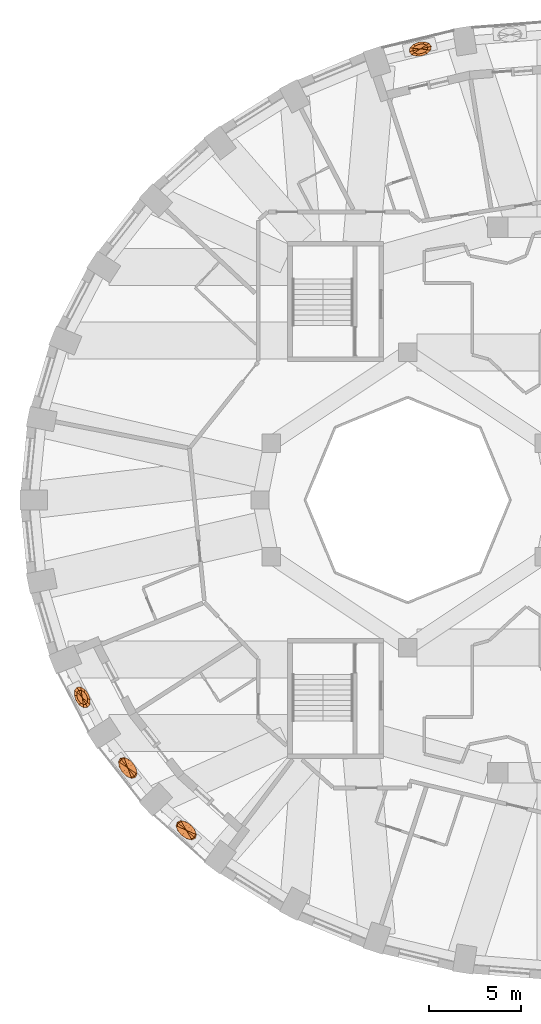
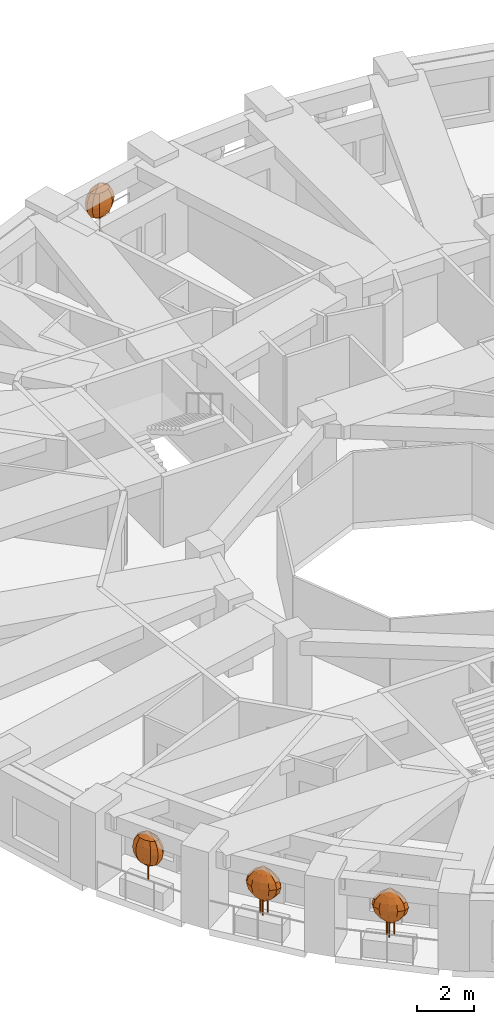
# One storey, part 12 of 13: 4 geographic elements.
"""IFC4 building model written with IfcOpenShell, lengths in metres."""

from ifc_helpers import new_model, si_unit, direction, frame, origin, place, context, subcontext, project, spatial, faceted_brep, material, constituent, constituent_set, type_object, element, save


model = new_model("IFC4")

# Units and contexts
model_context = context("Model", 3, precision=1e-05, world=origin(), true_north=direction((0.0, 1.0)))
body_context = subcontext(model_context, "Body", "Model", "MODEL_VIEW")
ifc_project = project(units=[si_unit("LENGTHUNIT", "METRE"), si_unit("AREAUNIT", "SQUARE_METRE"), si_unit("VOLUMEUNIT", "CUBIC_METRE"), si_unit("PLANEANGLEUNIT", "RADIAN"), si_unit("MASSUNIT", "GRAM", prefix="KILO")], contexts=[model_context])

# Site, building, storey
site_placement = place(None, origin())
site = spatial("IfcSite", under=ifc_project, at=site_placement, CompositionType="ELEMENT")
building_placement = place(site_placement, origin())
building = spatial("IfcBuilding", under=site, at=building_placement, Name="Taillehof Tower", CompositionType="ELEMENT")
storey_placement = place(building_placement, frame((0.0, 0.0, 58.0)))
storey = spatial("IfcBuildingStorey", under=building, at=storey_placement, Name="L15", CompositionType="ELEMENT", Elevation=58.0)

# Geographic elements
ifc_material_1 = material(Name="Tree bark", Category="timber")
ifc_constituent_1 = constituent(ifc_material_1, Name="Trunk", Category="timber")
ifc_material_2 = material(Name="Tree foliage")
ifc_constituent_2 = constituent(ifc_material_2, Name="Crown")
ifc_constituent_set_1 = constituent_set(constituents=[ifc_constituent_1, ifc_constituent_2], Name="Tree TR1 Columnar hornbeam")
geographic_element_type_1 = type_object("IfcGeographicElementType", Name="Tree TR1 Columnar hornbeam", PredefinedType="USERDEFINED", material=ifc_constituent_set_1)
geographic_element_1_placement = place(storey_placement, frame((-7.31640625, 24.430419921875, 0.75)))
element("IfcGeographicElement", 1, at=geographic_element_1_placement, inside=storey, type_object=geographic_element_type_1, Name="Tree TR1 Columnar hornbeam", ObjectType="TREE", PredefinedType="USERDEFINED", context=body_context, shape_type="Brep", body=[
    faceted_brep([(0.030029296875, 0.0, 0.0), (0.021240234375, 0.021240234375, 0.0), (0.021240234375, 0.021240234375, 1.092529296875), (0.030029296875, 0.0, 1.092529296875), (0.0, 0.030029296875, 0.0), (0.0, 0.030029296875, 1.092529296875), (-0.021240234375, 0.021240234375, 0.0), (-0.021240234375, 0.021240234375, 1.092529296875), (-0.030029296875, 0.0, 0.0), (-0.030029296875, 0.0, 1.092529296875), (-0.021240234375, -0.021240234375, 0.0), (-0.021240234375, -0.021240234375, 1.092529296875), (0.0, -0.030029296875, 0.0), (0.0, -0.030029296875, 1.092529296875), (0.021240234375, -0.021240234375, 0.0), (0.021240234375, -0.021240234375, 1.092529296875)], [[[0, 1, 2, 3]], [[1, 4, 5, 2]], [[4, 6, 7, 5]], [[6, 8, 9, 7]], [[8, 10, 11, 9]], [[10, 12, 13, 11]], [[12, 14, 15, 13]], [[14, 0, 3, 15]], [[14, 12, 10, 8, 6, 4, 1, 0]], [[3, 2, 5, 7, 9, 11, 13, 15]]]),
    faceted_brep([(0.0, 0.0, 0.550048828125), (-0.324951171875, -0.211181640625, 0.808349609375), (-0.41015625, -0.09814453125, 0.808349609375), (-0.15283203125, -0.267822265625, 0.808349609375), (0.060546875, -0.25244140625, 0.808349609375), (0.25732421875, -0.16943359375, 0.808349609375), (0.385498046875, -0.041015625, 0.808349609375), (0.41015625, 0.09814453125, 0.808349609375), (0.324951171875, 0.211181640625, 0.808349609375), (0.15283203125, 0.267822265625, 0.808349609375), (-0.060546875, 0.25244140625, 0.808349609375), (-0.25732421875, 0.16943359375, 0.808349609375), (-0.385498046875, 0.041015625, 0.808349609375), (-0.439697265625, -0.285888671875, 1.066650390625), (-0.554931640625, -0.1328125, 1.066650390625), (-0.20654296875, -0.362060546875, 1.066650390625), (0.081787109375, -0.341552734375, 1.066650390625), (0.34814453125, -0.229248046875, 1.066650390625), (0.521484375, -0.0556640625, 1.066650390625), (0.554931640625, 0.1328125, 1.066650390625), (0.439697265625, 0.285888671875, 1.066650390625), (0.20654296875, 0.362060546875, 1.066650390625), (-0.081787109375, 0.341552734375, 1.066650390625), (-0.34814453125, 0.229248046875, 1.066650390625), (-0.521484375, 0.0556640625, 1.066650390625), (-0.475830078125, -0.309326171875, 1.324951171875), (-0.6005859375, -0.143798828125, 1.324951171875), (-0.2236328125, -0.391845703125, 1.324951171875), (0.088623046875, -0.36962890625, 1.324951171875), (0.376953125, -0.248046875, 1.324951171875), (0.564208984375, -0.060302734375, 1.324951171875), (0.6005859375, 0.143798828125, 1.324951171875), (0.475830078125, 0.309326171875, 1.324951171875), (0.2236328125, 0.391845703125, 1.324951171875), (-0.088623046875, 0.36962890625, 1.324951171875), (-0.376953125, 0.248046875, 1.324951171875), (-0.564208984375, 0.060302734375, 1.324951171875), (-0.439697265625, -0.285888671875, 1.583251953125), (-0.554931640625, -0.1328125, 1.583251953125), (-0.20654296875, -0.362060546875, 1.583251953125), (0.081787109375, -0.341552734375, 1.583251953125), (0.34814453125, -0.229248046875, 1.583251953125), (0.521484375, -0.0556640625, 1.583251953125), (0.554931640625, 0.1328125, 1.583251953125), (0.439697265625, 0.285888671875, 1.583251953125), (0.20654296875, 0.362060546875, 1.583251953125), (-0.081787109375, 0.341552734375, 1.583251953125), (-0.34814453125, 0.229248046875, 1.583251953125), (-0.521484375, 0.0556640625, 1.583251953125), (-0.324951171875, -0.211181640625, 1.841552734375), (-0.41015625, -0.09814453125, 1.841552734375), (-0.15283203125, -0.267822265625, 1.841552734375), (0.060546875, -0.25244140625, 1.841552734375), (0.25732421875, -0.16943359375, 1.841552734375), (0.385498046875, -0.041015625, 1.841552734375), (0.41015625, 0.09814453125, 1.841552734375), (0.324951171875, 0.211181640625, 1.841552734375), (0.15283203125, 0.267822265625, 1.841552734375), (-0.060546875, 0.25244140625, 1.841552734375), (-0.25732421875, 0.16943359375, 1.841552734375), (-0.385498046875, 0.041015625, 1.841552734375), (0.0, 0.0, 2.10009765625)], [[[0, 1, 2]], [[0, 3, 1]], [[0, 4, 3]], [[0, 5, 4]], [[0, 6, 5]], [[0, 7, 6]], [[0, 8, 7]], [[0, 9, 8]], [[0, 10, 9]], [[0, 11, 10]], [[0, 12, 11]], [[0, 2, 12]], [[2, 1, 13, 14]], [[1, 3, 15, 13]], [[3, 4, 16, 15]], [[4, 5, 17, 16]], [[5, 6, 18, 17]], [[6, 7, 19, 18]], [[7, 8, 20, 19]], [[8, 9, 21, 20]], [[9, 10, 22, 21]], [[10, 11, 23, 22]], [[11, 12, 24, 23]], [[12, 2, 14, 24]], [[14, 13, 25, 26]], [[13, 15, 27, 25]], [[15, 16, 28, 27]], [[16, 17, 29, 28]], [[17, 18, 30, 29]], [[18, 19, 31, 30]], [[19, 20, 32, 31]], [[20, 21, 33, 32]], [[21, 22, 34, 33]], [[22, 23, 35, 34]], [[23, 24, 36, 35]], [[24, 14, 26, 36]], [[26, 25, 37, 38]], [[25, 27, 39, 37]], [[27, 28, 40, 39]], [[28, 29, 41, 40]], [[29, 30, 42, 41]], [[30, 31, 43, 42]], [[31, 32, 44, 43]], [[32, 33, 45, 44]], [[33, 34, 46, 45]], [[34, 35, 47, 46]], [[35, 36, 48, 47]], [[36, 26, 38, 48]], [[38, 37, 49, 50]], [[37, 39, 51, 49]], [[39, 40, 52, 51]], [[40, 41, 53, 52]], [[41, 42, 54, 53]], [[42, 43, 55, 54]], [[43, 44, 56, 55]], [[44, 45, 57, 56]], [[45, 46, 58, 57]], [[46, 47, 59, 58]], [[47, 48, 60, 59]], [[48, 38, 50, 60]], [[50, 49, 61]], [[49, 51, 61]], [[51, 52, 61]], [[52, 53, 61]], [[53, 54, 61]], [[54, 55, 61]], [[55, 56, 61]], [[56, 57, 61]], [[57, 58, 61]], [[58, 59, 61]], [[59, 60, 61]], [[60, 50, 61]]]),
])
geographic_element_2_placement = place(storey_placement, frame((-25.627685546875, -10.692626953125, 0.75)))
element("IfcGeographicElement", 2, at=geographic_element_2_placement, inside=storey, type_object=geographic_element_type_1, Name="Tree TR1 Columnar hornbeam", ObjectType="TREE", PredefinedType="USERDEFINED", context=body_context, shape_type="Brep", body=[
    faceted_brep([(0.030029296875, 0.0, 0.0), (0.021240234375, 0.021240234375, 0.0), (0.021240234375, 0.021240234375, 1.092529296875), (0.030029296875, 0.0, 1.092529296875), (0.0, 0.030029296875, 0.0), (0.0, 0.030029296875, 1.092529296875), (-0.021240234375, 0.021240234375, 0.0), (-0.021240234375, 0.021240234375, 1.092529296875), (-0.030029296875, 0.0, 0.0), (-0.030029296875, 0.0, 1.092529296875), (-0.021240234375, -0.021240234375, 0.0), (-0.021240234375, -0.021240234375, 1.092529296875), (0.0, -0.030029296875, 0.0), (0.0, -0.030029296875, 1.092529296875), (0.021240234375, -0.021240234375, 0.0), (0.021240234375, -0.021240234375, 1.092529296875)], [[[0, 1, 2, 3]], [[1, 4, 5, 2]], [[4, 6, 7, 5]], [[6, 8, 9, 7]], [[8, 10, 11, 9]], [[10, 12, 13, 11]], [[12, 14, 15, 13]], [[14, 0, 3, 15]], [[14, 12, 10, 8, 6, 4, 1, 0]], [[3, 2, 5, 7, 9, 11, 13, 15]]]),
    faceted_brep([(0.0, 0.0, 0.550048828125), (0.283935546875, -0.263916015625, 0.808349609375), (0.195068359375, -0.3740234375, 0.808349609375), (0.296875, -0.0830078125, 0.808349609375), (0.230224609375, 0.1201171875, 0.808349609375), (0.101806640625, 0.291015625, 0.808349609375), (-0.053955078125, 0.3837890625, 0.808349609375), (-0.195068359375, 0.3740234375, 0.808349609375), (-0.283935546875, 0.263916015625, 0.808349609375), (-0.296875, 0.0830078125, 0.808349609375), (-0.230224609375, -0.1201171875, 0.808349609375), (-0.101806640625, -0.291015625, 0.808349609375), (0.053955078125, -0.3837890625, 0.808349609375), (0.38427734375, -0.35693359375, 1.066650390625), (0.263916015625, -0.505859375, 1.066650390625), (0.401611328125, -0.1123046875, 1.066650390625), (0.311279296875, 0.162353515625, 1.066650390625), (0.1376953125, 0.3935546875, 1.066650390625), (-0.07275390625, 0.519287109375, 1.066650390625), (-0.263916015625, 0.505859375, 1.066650390625), (-0.38427734375, 0.35693359375, 1.066650390625), (-0.401611328125, 0.1123046875, 1.066650390625), (-0.311279296875, -0.162353515625, 1.066650390625), (-0.1376953125, -0.3935546875, 1.066650390625), (0.07275390625, -0.519287109375, 1.066650390625), (0.415771484375, -0.38623046875, 1.324951171875), (0.28564453125, -0.547607421875, 1.324951171875), (0.4345703125, -0.12158203125, 1.324951171875), (0.3369140625, 0.17578125, 1.324951171875), (0.14892578125, 0.426025390625, 1.324951171875), (-0.078857421875, 0.56201171875, 1.324951171875), (-0.28564453125, 0.547607421875, 1.324951171875), (-0.415771484375, 0.38623046875, 1.324951171875), (-0.4345703125, 0.12158203125, 1.324951171875), (-0.3369140625, -0.17578125, 1.324951171875), (-0.14892578125, -0.426025390625, 1.324951171875), (0.078857421875, -0.56201171875, 1.324951171875), (0.38427734375, -0.35693359375, 1.583251953125), (0.263916015625, -0.505859375, 1.583251953125), (0.401611328125, -0.1123046875, 1.583251953125), (0.311279296875, 0.162353515625, 1.583251953125), (0.1376953125, 0.3935546875, 1.583251953125), (-0.07275390625, 0.519287109375, 1.583251953125), (-0.263916015625, 0.505859375, 1.583251953125), (-0.38427734375, 0.35693359375, 1.583251953125), (-0.401611328125, 0.1123046875, 1.583251953125), (-0.311279296875, -0.162353515625, 1.583251953125), (-0.1376953125, -0.3935546875, 1.583251953125), (0.07275390625, -0.519287109375, 1.583251953125), (0.283935546875, -0.263916015625, 1.841552734375), (0.195068359375, -0.3740234375, 1.841552734375), (0.296875, -0.0830078125, 1.841552734375), (0.230224609375, 0.1201171875, 1.841552734375), (0.101806640625, 0.291015625, 1.841552734375), (-0.053955078125, 0.3837890625, 1.841552734375), (-0.195068359375, 0.3740234375, 1.841552734375), (-0.283935546875, 0.263916015625, 1.841552734375), (-0.296875, 0.0830078125, 1.841552734375), (-0.230224609375, -0.1201171875, 1.841552734375), (-0.101806640625, -0.291015625, 1.841552734375), (0.053955078125, -0.3837890625, 1.841552734375), (0.0, 0.0, 2.10009765625)], [[[0, 1, 2]], [[0, 3, 1]], [[0, 4, 3]], [[0, 5, 4]], [[0, 6, 5]], [[0, 7, 6]], [[0, 8, 7]], [[0, 9, 8]], [[0, 10, 9]], [[0, 11, 10]], [[0, 12, 11]], [[0, 2, 12]], [[2, 1, 13, 14]], [[1, 3, 15, 13]], [[3, 4, 16, 15]], [[4, 5, 17, 16]], [[5, 6, 18, 17]], [[6, 7, 19, 18]], [[7, 8, 20, 19]], [[8, 9, 21, 20]], [[9, 10, 22, 21]], [[10, 11, 23, 22]], [[11, 12, 24, 23]], [[12, 2, 14, 24]], [[14, 13, 25, 26]], [[13, 15, 27, 25]], [[15, 16, 28, 27]], [[16, 17, 29, 28]], [[17, 18, 30, 29]], [[18, 19, 31, 30]], [[19, 20, 32, 31]], [[20, 21, 33, 32]], [[21, 22, 34, 33]], [[22, 23, 35, 34]], [[23, 24, 36, 35]], [[24, 14, 26, 36]], [[26, 25, 37, 38]], [[25, 27, 39, 37]], [[27, 28, 40, 39]], [[28, 29, 41, 40]], [[29, 30, 42, 41]], [[30, 31, 43, 42]], [[31, 32, 44, 43]], [[32, 33, 45, 44]], [[33, 34, 46, 45]], [[34, 35, 47, 46]], [[35, 36, 48, 47]], [[36, 26, 38, 48]], [[38, 37, 49, 50]], [[37, 39, 51, 49]], [[39, 40, 52, 51]], [[40, 41, 53, 52]], [[41, 42, 54, 53]], [[42, 43, 55, 54]], [[43, 44, 56, 55]], [[44, 45, 57, 56]], [[45, 46, 58, 57]], [[46, 47, 59, 58]], [[47, 48, 60, 59]], [[48, 38, 50, 60]], [[50, 49, 61]], [[49, 51, 61]], [[51, 52, 61]], [[52, 53, 61]], [[53, 54, 61]], [[54, 55, 61]], [[55, 56, 61]], [[56, 57, 61]], [[57, 58, 61]], [[58, 59, 61]], [[59, 60, 61]], [[60, 50, 61]]]),
])
ifc_material_3 = material(Name="Tree bark", Category="timber")
ifc_constituent_3 = constituent(ifc_material_3, Name="Trunk", Category="timber")
ifc_material_4 = material(Name="Tree foliage")
ifc_constituent_4 = constituent(ifc_material_4, Name="Crown")
ifc_constituent_set_2 = constituent_set(constituents=[ifc_constituent_3, ifc_constituent_4], Name="Tree TR3 Multi-stem serviceberry")
geographic_element_type_2 = type_object("IfcGeographicElementType", Name="Tree TR3 Multi-stem serviceberry", PredefinedType="USERDEFINED", material=ifc_constituent_set_2)
geographic_element_3_placement = place(storey_placement, frame((-23.16162109375, -14.510986328125, 0.75)))
element("IfcGeographicElement", 3, at=geographic_element_3_placement, inside=storey, type_object=geographic_element_type_2, Name="Tree TR3 Multi-stem serviceberry", ObjectType="TREE", PredefinedType="USERDEFINED", context=body_context, shape_type="Brep", body=[
    faceted_brep([(0.195068359375, 0.0, 0.0), (0.186767578125, 0.0205078125, 0.0), (0.186767578125, 0.0205078125, 1.04248046875), (0.195068359375, 0.0, 1.04248046875), (0.166259765625, 0.02880859375, 0.0), (0.166259765625, 0.02880859375, 1.04248046875), (0.145751953125, 0.0205078125, 0.0), (0.145751953125, 0.0205078125, 1.04248046875), (0.137451171875, 0.0, 0.0), (0.137451171875, 0.0, 1.04248046875), (0.145751953125, -0.0205078125, 0.0), (0.145751953125, -0.0205078125, 1.04248046875), (0.166259765625, -0.02880859375, 0.0), (0.166259765625, -0.02880859375, 1.04248046875), (0.186767578125, -0.0205078125, 0.0), (0.186767578125, -0.0205078125, 1.04248046875)], [[[0, 1, 2, 3]], [[1, 4, 5, 2]], [[4, 6, 7, 5]], [[6, 8, 9, 7]], [[8, 10, 11, 9]], [[10, 12, 13, 11]], [[12, 14, 15, 13]], [[14, 0, 3, 15]], [[14, 12, 10, 8, 6, 4, 1, 0]], [[3, 2, 5, 7, 9, 11, 13, 15]]]),
    faceted_brep([(-0.05419921875, 0.082275390625, 0.0), (-0.062744140625, 0.102783203125, 0.0), (-0.062744140625, 0.102783203125, 1.04248046875), (-0.05419921875, 0.082275390625, 1.04248046875), (-0.0830078125, 0.111083984375, 0.0), (-0.0830078125, 0.111083984375, 1.04248046875), (-0.103515625, 0.102783203125, 0.0), (-0.103515625, 0.102783203125, 1.04248046875), (-0.112060546875, 0.082275390625, 0.0), (-0.112060546875, 0.082275390625, 1.04248046875), (-0.103515625, 0.061767578125, 0.0), (-0.103515625, 0.061767578125, 1.04248046875), (-0.0830078125, 0.053466796875, 0.0), (-0.0830078125, 0.053466796875, 1.04248046875), (-0.062744140625, 0.061767578125, 0.0), (-0.062744140625, 0.061767578125, 1.04248046875)], [[[0, 1, 2, 3]], [[1, 4, 5, 2]], [[4, 6, 7, 5]], [[6, 8, 9, 7]], [[8, 10, 11, 9]], [[10, 12, 13, 11]], [[12, 14, 15, 13]], [[14, 0, 3, 15]], [[14, 12, 10, 8, 6, 4, 1, 0]], [[3, 2, 5, 7, 9, 11, 13, 15]]]),
    faceted_brep([(-0.05419921875, -0.082275390625, 0.0), (-0.062744140625, -0.061767578125, 0.0), (-0.062744140625, -0.061767578125, 1.04248046875), (-0.05419921875, -0.082275390625, 1.04248046875), (-0.0830078125, -0.053466796875, 0.0), (-0.0830078125, -0.053466796875, 1.04248046875), (-0.103515625, -0.061767578125, 0.0), (-0.103515625, -0.061767578125, 1.04248046875), (-0.112060546875, -0.082275390625, 0.0), (-0.112060546875, -0.082275390625, 1.04248046875), (-0.103515625, -0.102783203125, 0.0), (-0.103515625, -0.102783203125, 1.04248046875), (-0.0830078125, -0.111083984375, 0.0), (-0.0830078125, -0.111083984375, 1.04248046875), (-0.062744140625, -0.102783203125, 0.0), (-0.062744140625, -0.102783203125, 1.04248046875)], [[[0, 1, 2, 3]], [[1, 4, 5, 2]], [[4, 6, 7, 5]], [[6, 8, 9, 7]], [[8, 10, 11, 9]], [[10, 12, 13, 11]], [[12, 14, 15, 13]], [[14, 0, 3, 15]], [[14, 12, 10, 8, 6, 4, 1, 0]], [[3, 2, 5, 7, 9, 11, 13, 15]]]),
    faceted_brep([(0.0, 0.0, 0.5), (0.289794921875, -0.193115234375, 0.75830078125), (0.235595703125, -0.30078125, 0.75830078125), (0.2666015625, -0.03369140625, 0.75830078125), (0.171875, 0.134521484375, 0.75830078125), (0.031005859375, 0.266845703125, 0.75830078125), (-0.1181640625, 0.32763671875, 0.75830078125), (-0.235595703125, 0.30078125, 0.75830078125), (-0.289794921875, 0.193115234375, 0.75830078125), (-0.2666015625, 0.03369140625, 0.75830078125), (-0.171875, -0.134521484375, 0.75830078125), (-0.031005859375, -0.266845703125, 0.75830078125), (0.1181640625, -0.32763671875, 0.75830078125), (0.449951171875, -0.299560546875, 1.0166015625), (0.365478515625, -0.466552734375, 1.0166015625), (0.41357421875, -0.052490234375, 1.0166015625), (0.2666015625, 0.208740234375, 1.0166015625), (0.048095703125, 0.4140625, 1.0166015625), (-0.18310546875, 0.508544921875, 1.0166015625), (-0.365478515625, 0.466552734375, 1.0166015625), (-0.449951171875, 0.299560546875, 1.0166015625), (-0.41357421875, 0.052490234375, 1.0166015625), (-0.2666015625, -0.208740234375, 1.0166015625), (-0.048095703125, -0.4140625, 1.0166015625), (0.18310546875, -0.508544921875, 1.0166015625), (0.504638671875, -0.336181640625, 1.27490234375), (0.41015625, -0.5234375, 1.27490234375), (0.464111328125, -0.058837890625, 1.27490234375), (0.299072265625, 0.234375, 1.27490234375), (0.053955078125, 0.464599609375, 1.27490234375), (-0.20556640625, 0.570556640625, 1.27490234375), (-0.41015625, 0.5234375, 1.27490234375), (-0.504638671875, 0.336181640625, 1.27490234375), (-0.464111328125, 0.058837890625, 1.27490234375), (-0.299072265625, -0.234375, 1.27490234375), (-0.053955078125, -0.464599609375, 1.27490234375), (0.20556640625, -0.570556640625, 1.27490234375), (0.449951171875, -0.299560546875, 1.533447265625), (0.365478515625, -0.466552734375, 1.533447265625), (0.41357421875, -0.052490234375, 1.533447265625), (0.2666015625, 0.208740234375, 1.533447265625), (0.048095703125, 0.4140625, 1.533447265625), (-0.18310546875, 0.508544921875, 1.533447265625), (-0.365478515625, 0.466552734375, 1.533447265625), (-0.449951171875, 0.299560546875, 1.533447265625), (-0.41357421875, 0.052490234375, 1.533447265625), (-0.2666015625, -0.208740234375, 1.533447265625), (-0.048095703125, -0.4140625, 1.533447265625), (0.18310546875, -0.508544921875, 1.533447265625), (0.289794921875, -0.193115234375, 1.791748046875), (0.235595703125, -0.30078125, 1.791748046875), (0.2666015625, -0.03369140625, 1.791748046875), (0.171875, 0.134521484375, 1.791748046875), (0.031005859375, 0.266845703125, 1.791748046875), (-0.1181640625, 0.32763671875, 1.791748046875), (-0.235595703125, 0.30078125, 1.791748046875), (-0.289794921875, 0.193115234375, 1.791748046875), (-0.2666015625, 0.03369140625, 1.791748046875), (-0.171875, -0.134521484375, 1.791748046875), (-0.031005859375, -0.266845703125, 1.791748046875), (0.1181640625, -0.32763671875, 1.791748046875), (0.0, 0.0, 2.050048828125)], [[[0, 1, 2]], [[0, 3, 1]], [[0, 4, 3]], [[0, 5, 4]], [[0, 6, 5]], [[0, 7, 6]], [[0, 8, 7]], [[0, 9, 8]], [[0, 10, 9]], [[0, 11, 10]], [[0, 12, 11]], [[0, 2, 12]], [[2, 1, 13, 14]], [[1, 3, 15, 13]], [[3, 4, 16, 15]], [[4, 5, 17, 16]], [[5, 6, 18, 17]], [[6, 7, 19, 18]], [[7, 8, 20, 19]], [[8, 9, 21, 20]], [[9, 10, 22, 21]], [[10, 11, 23, 22]], [[11, 12, 24, 23]], [[12, 2, 14, 24]], [[14, 13, 25, 26]], [[13, 15, 27, 25]], [[15, 16, 28, 27]], [[16, 17, 29, 28]], [[17, 18, 30, 29]], [[18, 19, 31, 30]], [[19, 20, 32, 31]], [[20, 21, 33, 32]], [[21, 22, 34, 33]], [[22, 23, 35, 34]], [[23, 24, 36, 35]], [[24, 14, 26, 36]], [[26, 25, 37, 38]], [[25, 27, 39, 37]], [[27, 28, 40, 39]], [[28, 29, 41, 40]], [[29, 30, 42, 41]], [[30, 31, 43, 42]], [[31, 32, 44, 43]], [[32, 33, 45, 44]], [[33, 34, 46, 45]], [[34, 35, 47, 46]], [[35, 36, 48, 47]], [[36, 26, 38, 48]], [[38, 37, 49, 50]], [[37, 39, 51, 49]], [[39, 40, 52, 51]], [[40, 41, 53, 52]], [[41, 42, 54, 53]], [[42, 43, 55, 54]], [[43, 44, 56, 55]], [[44, 45, 57, 56]], [[45, 46, 58, 57]], [[46, 47, 59, 58]], [[47, 48, 60, 59]], [[48, 38, 50, 60]], [[50, 49, 61]], [[49, 51, 61]], [[51, 52, 61]], [[52, 53, 61]], [[53, 54, 61]], [[54, 55, 61]], [[55, 56, 61]], [[56, 57, 61]], [[57, 58, 61]], [[58, 59, 61]], [[59, 60, 61]], [[60, 50, 61]]]),
])
geographic_element_4_placement = place(storey_placement, frame((-19.9921875, -17.8876953125, 0.75)))
element("IfcGeographicElement", 4, at=geographic_element_4_placement, inside=storey, type_object=geographic_element_type_2, Name="Tree TR3 Multi-stem serviceberry", ObjectType="TREE", PredefinedType="USERDEFINED", context=body_context, shape_type="Brep", body=[
    faceted_brep([(0.195068359375, 0.0, 0.0), (0.186767578125, 0.0205078125, 0.0), (0.186767578125, 0.0205078125, 1.04248046875), (0.195068359375, 0.0, 1.04248046875), (0.166259765625, 0.02880859375, 0.0), (0.166259765625, 0.02880859375, 1.04248046875), (0.145751953125, 0.0205078125, 0.0), (0.145751953125, 0.0205078125, 1.04248046875), (0.137451171875, 0.0, 0.0), (0.137451171875, 0.0, 1.04248046875), (0.145751953125, -0.0205078125, 0.0), (0.145751953125, -0.0205078125, 1.04248046875), (0.166259765625, -0.02880859375, 0.0), (0.166259765625, -0.02880859375, 1.04248046875), (0.186767578125, -0.0205078125, 0.0), (0.186767578125, -0.0205078125, 1.04248046875)], [[[0, 1, 2, 3]], [[1, 4, 5, 2]], [[4, 6, 7, 5]], [[6, 8, 9, 7]], [[8, 10, 11, 9]], [[10, 12, 13, 11]], [[12, 14, 15, 13]], [[14, 0, 3, 15]], [[14, 12, 10, 8, 6, 4, 1, 0]], [[3, 2, 5, 7, 9, 11, 13, 15]]]),
    faceted_brep([(-0.05419921875, 0.082275390625, 0.0), (-0.062744140625, 0.102783203125, 0.0), (-0.062744140625, 0.102783203125, 1.04248046875), (-0.05419921875, 0.082275390625, 1.04248046875), (-0.0830078125, 0.111083984375, 0.0), (-0.0830078125, 0.111083984375, 1.04248046875), (-0.103515625, 0.102783203125, 0.0), (-0.103515625, 0.102783203125, 1.04248046875), (-0.112060546875, 0.082275390625, 0.0), (-0.112060546875, 0.082275390625, 1.04248046875), (-0.103515625, 0.061767578125, 0.0), (-0.103515625, 0.061767578125, 1.04248046875), (-0.0830078125, 0.053466796875, 0.0), (-0.0830078125, 0.053466796875, 1.04248046875), (-0.062744140625, 0.061767578125, 0.0), (-0.062744140625, 0.061767578125, 1.04248046875)], [[[0, 1, 2, 3]], [[1, 4, 5, 2]], [[4, 6, 7, 5]], [[6, 8, 9, 7]], [[8, 10, 11, 9]], [[10, 12, 13, 11]], [[12, 14, 15, 13]], [[14, 0, 3, 15]], [[14, 12, 10, 8, 6, 4, 1, 0]], [[3, 2, 5, 7, 9, 11, 13, 15]]]),
    faceted_brep([(-0.05419921875, -0.082275390625, 0.0), (-0.062744140625, -0.061767578125, 0.0), (-0.062744140625, -0.061767578125, 1.04248046875), (-0.05419921875, -0.082275390625, 1.04248046875), (-0.0830078125, -0.053466796875, 0.0), (-0.0830078125, -0.053466796875, 1.04248046875), (-0.103515625, -0.061767578125, 0.0), (-0.103515625, -0.061767578125, 1.04248046875), (-0.112060546875, -0.082275390625, 0.0), (-0.112060546875, -0.082275390625, 1.04248046875), (-0.103515625, -0.102783203125, 0.0), (-0.103515625, -0.102783203125, 1.04248046875), (-0.0830078125, -0.111083984375, 0.0), (-0.0830078125, -0.111083984375, 1.04248046875), (-0.062744140625, -0.102783203125, 0.0), (-0.062744140625, -0.102783203125, 1.04248046875)], [[[0, 1, 2, 3]], [[1, 4, 5, 2]], [[4, 6, 7, 5]], [[6, 8, 9, 7]], [[8, 10, 11, 9]], [[10, 12, 13, 11]], [[12, 14, 15, 13]], [[14, 0, 3, 15]], [[14, 12, 10, 8, 6, 4, 1, 0]], [[3, 2, 5, 7, 9, 11, 13, 15]]]),
    faceted_brep([(0.0, 0.0, 0.5), (0.3193359375, -0.13916015625, 0.75830078125), (0.28466796875, -0.254638671875, 0.75830078125), (0.268310546875, 0.013671875, 0.75830078125), (0.1455078125, 0.16259765625, 0.75830078125), (-0.016357421875, 0.268310546875, 0.75830078125), (-0.173828125, 0.3017578125, 0.75830078125), (-0.28466796875, 0.254638671875, 0.75830078125), (-0.3193359375, 0.13916015625, 0.75830078125), (-0.268310546875, -0.013671875, 0.75830078125), (-0.1455078125, -0.16259765625, 0.75830078125), (0.016357421875, -0.268310546875, 0.75830078125), (0.173828125, -0.3017578125, 0.75830078125), (0.49560546875, -0.2158203125, 1.0166015625), (0.44189453125, -0.39501953125, 1.0166015625), (0.41650390625, 0.021240234375, 1.0166015625), (0.225830078125, 0.25244140625, 1.0166015625), (-0.025390625, 0.416259765625, 1.0166015625), (-0.269775390625, 0.46826171875, 1.0166015625), (-0.44189453125, 0.39501953125, 1.0166015625), (-0.49560546875, 0.2158203125, 1.0166015625), (-0.41650390625, -0.021240234375, 1.0166015625), (-0.225830078125, -0.25244140625, 1.0166015625), (0.025390625, -0.416259765625, 1.0166015625), (0.269775390625, -0.46826171875, 1.0166015625), (0.555908203125, -0.2421875, 1.27490234375), (0.495849609375, -0.443115234375, 1.27490234375), (0.46728515625, 0.023681640625, 1.27490234375), (0.253173828125, 0.283203125, 1.27490234375), (-0.028564453125, 0.467041015625, 1.27490234375), (-0.302734375, 0.525390625, 1.27490234375), (-0.495849609375, 0.443115234375, 1.27490234375), (-0.555908203125, 0.2421875, 1.27490234375), (-0.46728515625, -0.023681640625, 1.27490234375), (-0.253173828125, -0.283203125, 1.27490234375), (0.028564453125, -0.467041015625, 1.27490234375), (0.302734375, -0.525390625, 1.27490234375), (0.49560546875, -0.2158203125, 1.533447265625), (0.44189453125, -0.39501953125, 1.533447265625), (0.41650390625, 0.021240234375, 1.533447265625), (0.225830078125, 0.25244140625, 1.533447265625), (-0.025390625, 0.416259765625, 1.533447265625), (-0.269775390625, 0.46826171875, 1.533447265625), (-0.44189453125, 0.39501953125, 1.533447265625), (-0.49560546875, 0.2158203125, 1.533447265625), (-0.41650390625, -0.021240234375, 1.533447265625), (-0.225830078125, -0.25244140625, 1.533447265625), (0.025390625, -0.416259765625, 1.533447265625), (0.269775390625, -0.46826171875, 1.533447265625), (0.3193359375, -0.13916015625, 1.791748046875), (0.28466796875, -0.254638671875, 1.791748046875), (0.268310546875, 0.013671875, 1.791748046875), (0.1455078125, 0.16259765625, 1.791748046875), (-0.016357421875, 0.268310546875, 1.791748046875), (-0.173828125, 0.3017578125, 1.791748046875), (-0.28466796875, 0.254638671875, 1.791748046875), (-0.3193359375, 0.13916015625, 1.791748046875), (-0.268310546875, -0.013671875, 1.791748046875), (-0.1455078125, -0.16259765625, 1.791748046875), (0.016357421875, -0.268310546875, 1.791748046875), (0.173828125, -0.3017578125, 1.791748046875), (0.0, 0.0, 2.050048828125)], [[[0, 1, 2]], [[0, 3, 1]], [[0, 4, 3]], [[0, 5, 4]], [[0, 6, 5]], [[0, 7, 6]], [[0, 8, 7]], [[0, 9, 8]], [[0, 10, 9]], [[0, 11, 10]], [[0, 12, 11]], [[0, 2, 12]], [[2, 1, 13, 14]], [[1, 3, 15, 13]], [[3, 4, 16, 15]], [[4, 5, 17, 16]], [[5, 6, 18, 17]], [[6, 7, 19, 18]], [[7, 8, 20, 19]], [[8, 9, 21, 20]], [[9, 10, 22, 21]], [[10, 11, 23, 22]], [[11, 12, 24, 23]], [[12, 2, 14, 24]], [[14, 13, 25, 26]], [[13, 15, 27, 25]], [[15, 16, 28, 27]], [[16, 17, 29, 28]], [[17, 18, 30, 29]], [[18, 19, 31, 30]], [[19, 20, 32, 31]], [[20, 21, 33, 32]], [[21, 22, 34, 33]], [[22, 23, 35, 34]], [[23, 24, 36, 35]], [[24, 14, 26, 36]], [[26, 25, 37, 38]], [[25, 27, 39, 37]], [[27, 28, 40, 39]], [[28, 29, 41, 40]], [[29, 30, 42, 41]], [[30, 31, 43, 42]], [[31, 32, 44, 43]], [[32, 33, 45, 44]], [[33, 34, 46, 45]], [[34, 35, 47, 46]], [[35, 36, 48, 47]], [[36, 26, 38, 48]], [[38, 37, 49, 50]], [[37, 39, 51, 49]], [[39, 40, 52, 51]], [[40, 41, 53, 52]], [[41, 42, 54, 53]], [[42, 43, 55, 54]], [[43, 44, 56, 55]], [[44, 45, 57, 56]], [[45, 46, 58, 57]], [[46, 47, 59, 58]], [[47, 48, 60, 59]], [[48, 38, 50, 60]], [[50, 49, 61]], [[49, 51, 61]], [[51, 52, 61]], [[52, 53, 61]], [[53, 54, 61]], [[54, 55, 61]], [[55, 56, 61]], [[56, 57, 61]], [[57, 58, 61]], [[58, 59, 61]], [[59, 60, 61]], [[60, 50, 61]]]),
])

save(model, "model.ifc")
